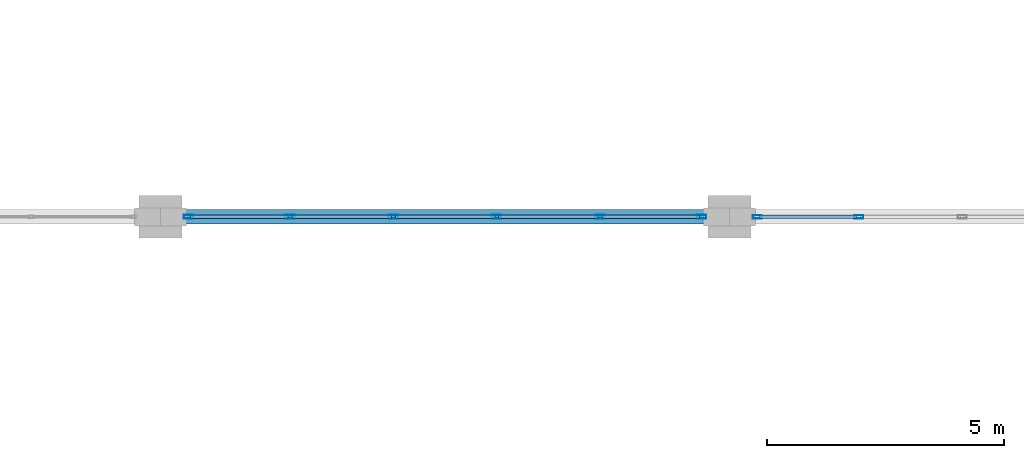
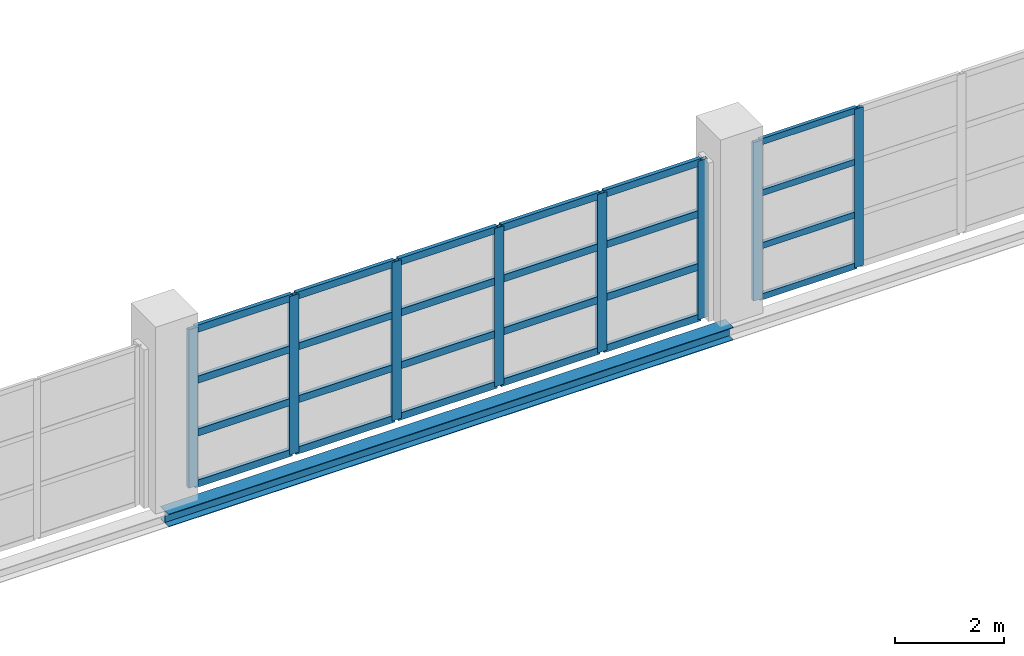
# One storey, part 74 of 158: 32 members, 1 beam, 2 elements without a shape of their own.
"""IFC4 building model written with IfcOpenShell, lengths in metres."""

import ifcopenshell
import ifcopenshell.guid

model = None  # the IFC model being written
_history = None  # IfcOwnerHistory: only IFC2X3 demands one
_inside = {}  # id of a spatial element -> (the spatial element, [elements in it])
_under = {}  # id of a project, library or spatial element -> (it, [spatial elements below it])
_declared = {}  # id of a project -> (the project, [libraries it declares])
_typed = {}  # id of a type object -> (the type object, [elements of that type])
_made_of = {}  # id of a material, layer set ... -> (it, [elements and type objects made of it])


def new_model(schema):
    """Start an empty IFC model of exactly this schema.

    Asked for "IFC4X3", IfcOpenShell would pick the latest addendum, in which some entities
    have other attributes; the version numbers below select the first issue.
    IFC2X3 requires an IfcOwnerHistory on every rooted entity: one is made here for all.
    """
    global model, _history
    if schema == "IFC4X3":
        model = ifcopenshell.file(schema_version=(4, 3, 0, 0))
    else:
        model = ifcopenshell.file(schema=schema)
    _inside.clear()
    _under.clear()
    _declared.clear()
    _typed.clear()
    _made_of.clear()
    _history = None
    if model.schema == "IFC2X3":
        org = make("IfcOrganization", Name="unknown")
        user = make(
            "IfcPersonAndOrganization",
            ThePerson=make("IfcPerson", FamilyName="unknown"),
            TheOrganization=org,
        )
        app = make(
            "IfcApplication",
            ApplicationDeveloper=org,
            Version="unknown",
            ApplicationFullName="unknown",
            ApplicationIdentifier="unknown",
        )
        _history = make(
            "IfcOwnerHistory",
            OwningUser=user,
            OwningApplication=app,
            ChangeAction="ADDED",
            CreationDate=0,
        )
    return model


def make(cls, **values):
    """One entity of the class cls with the attributes given. An attribute that is None is left unset."""
    return model.create_entity(
        cls, **{name: value for name, value in values.items() if value is not None}
    )


def rooted(cls, **values):
    """An entity with a GlobalId (a new one), such as an element, a storey or a relation."""
    return make(cls, GlobalId=ifcopenshell.guid.new(), OwnerHistory=_history, **values)


def si_unit(unit_type, name, prefix=None):
    """IfcSIUnit, for example si_unit("LENGTHUNIT", "METRE", prefix="MILLI")."""
    return make("IfcSIUnit", UnitType=unit_type, Prefix=prefix, Name=name)


def assignment(units):
    """IfcUnitAssignment: the units of a project."""
    return None if units is None else make("IfcUnitAssignment", Units=units)


def point(xyz):
    """IfcCartesianPoint."""
    return None if xyz is None else make("IfcCartesianPoint", Coordinates=xyz)


def direction(xyz):
    """IfcDirection."""
    return None if xyz is None else make("IfcDirection", DirectionRatios=xyz)


def frame(location, z_axis=None, x_axis=None):
    """IfcAxis2Placement3D, a coordinate frame: its origin and axes. An axis left out is left unset."""
    return make(
        "IfcAxis2Placement3D",
        Location=point(location),
        Axis=direction(z_axis),
        RefDirection=direction(x_axis),
    )


def frame_2d(location, x_axis=None):
    """IfcAxis2Placement2D, a coordinate frame in the plane: its origin and x axis."""
    return make(
        "IfcAxis2Placement2D", Location=point(location), RefDirection=direction(x_axis)
    )


def origin():
    """The frame at (0, 0, 0) with its axes left unset."""
    return frame((0.0, 0.0, 0.0))


def origin_2d():
    """The frame at (0, 0) in the plane with its x axis left unset."""
    return frame_2d((0.0, 0.0))


def place(relative_to, where):
    """IfcLocalPlacement: puts the frame where relative to a parent placement (None: the world)."""
    return make(
        "IfcLocalPlacement", PlacementRelTo=relative_to, RelativePlacement=where
    )


def context(
    kind, dimensions, precision=None, world=None, true_north=None, identifier=None
):
    """IfcGeometricRepresentationContext, for example the 3D "Model" context."""
    return make(
        "IfcGeometricRepresentationContext",
        ContextIdentifier=identifier,
        ContextType=kind,
        CoordinateSpaceDimension=dimensions,
        Precision=precision,
        WorldCoordinateSystem=world,
        TrueNorth=true_north,
    )


def subcontext(parent, identifier, kind, view, scale=None):
    """IfcGeometricRepresentationSubContext, for example "Body" below "Model"."""
    return make(
        "IfcGeometricRepresentationSubContext",
        ContextIdentifier=identifier,
        ContextType=kind,
        ParentContext=parent,
        TargetScale=scale,
        TargetView=view,
    )


def project(units=None, contexts=None):
    """IfcProject with its units and contexts."""
    return rooted(
        "IfcProject",
        Name="project",
        RepresentationContexts=contexts,
        UnitsInContext=assignment(units),
    )


def spatial(cls, under=None, at=None, **own):
    """A site, building, storey or space (cls), placed at a placement, below another one or the project."""
    s = rooted(cls, ObjectPlacement=at, **own)
    if under is not None:
        _under.setdefault(under.id(), (under, []))[1].append(s)
    return s


def profile(cls, at=None, kind="AREA", **sizes):
    """A parametric profile (cls). Its sizes go by their IFC names, for example OverallWidth=200.0."""
    return make(cls, ProfileType=kind, Position=at, **sizes)


def hollow_rectangle(**sizes):
    """IfcRectangleHollowProfileDef."""
    return profile("IfcRectangleHollowProfileDef", **sizes)


def i_section(**sizes):
    """IfcIShapeProfileDef."""
    return profile("IfcIShapeProfileDef", **sizes)


def extrude(swept, where, along, depth):
    """IfcExtrudedAreaSolid: the profile swept, set in the frame where, extruded along a direction by depth."""
    return make(
        "IfcExtrudedAreaSolid",
        SweptArea=swept,
        Position=where,
        ExtrudedDirection=direction(along),
        Depth=depth,
    )


def shape(context_of_items, identifier, shape_type, items):
    """IfcShapeRepresentation: the items that make up one representation, for example the "Body"."""
    return make(
        "IfcShapeRepresentation",
        ContextOfItems=context_of_items,
        RepresentationIdentifier=identifier,
        RepresentationType=shape_type,
        Items=items,
    )


def material(Name=None, Category=None):
    """IfcMaterial."""
    return make("IfcMaterial", Name=Name, Category=Category)


def layer(
    of_material, thickness, ventilated=None, Name=None, Category=None, Priority=None
):
    """IfcMaterialLayer: one layer of a wall or slab, of a material (None: an air gap)."""
    return make(
        "IfcMaterialLayer",
        Material=of_material,
        LayerThickness=thickness,
        IsVentilated=ventilated,
        Name=Name,
        Category=Category,
        Priority=Priority,
    )


def layer_set(layers, Name=None):
    """IfcMaterialLayerSet."""
    return make("IfcMaterialLayerSet", MaterialLayers=layers, LayerSetName=Name)


def material_profile(
    of_material, cross_section, Name=None, Category=None, Priority=None
):
    """IfcMaterialProfile: a cross section and its material."""
    return make(
        "IfcMaterialProfile",
        Name=Name,
        Material=of_material,
        Profile=cross_section,
        Priority=Priority,
        Category=Category,
    )


def profile_set(profiles, Name=None, composite=None):
    """IfcMaterialProfileSet."""
    return make(
        "IfcMaterialProfileSet",
        Name=Name,
        MaterialProfiles=profiles,
        CompositeProfile=composite,
    )


def made_of(thing, what):
    """Note that an element or type object is made of a material, layer set ...; save() writes the relation."""
    if what is not None:
        _made_of.setdefault(what.id(), (what, []))[1].append(thing)
    return thing


def type_object(cls, material=None, **own):
    """A type object (cls), such as IfcWallType, which elements share."""
    return made_of(rooted(cls, **own), material)


def element(
    cls,
    number,
    at=None,
    inside=None,
    cuts=None,
    type_object=None,
    material=None,
    context=None,
    identifier="Body",
    shape_type=None,
    held_by="IfcProductDefinitionShape",
    body=None,
    shapes=None,
    **own,
):
    """One element of the class cls, such as IfcWall. Its Tag is "e" and its number.

    at: its placement. inside: the storey or other place that contains it. cuts: it is an
    opening in that element (IfcRelVoidsElement). A single representation is given by context,
    identifier, shape_type and body (its items); several are given by shapes. held_by: the class
    of the entity that holds the representations. save() writes the other relations.
    """
    e = rooted(cls, Tag="e%d" % number, ObjectPlacement=at, **own)
    if body is not None:
        shapes = [shape(context, identifier, shape_type, body)]
    if shapes is not None:
        e.Representation = make(held_by, Representations=shapes)
    if inside is not None:
        _inside.setdefault(inside.id(), (inside, []))[1].append(e)
    if cuts is not None:
        rooted(
            "IfcRelVoidsElement", RelatingBuildingElement=cuts, RelatedOpeningElement=e
        )
    if type_object is not None:
        _typed.setdefault(type_object.id(), (type_object, []))[1].append(e)
    return made_of(e, material)


def aggregate(whole, parts):
    """IfcRelAggregates: a whole, such as a stair, and the parts it consists of."""
    return rooted("IfcRelAggregates", RelatingObject=whole, RelatedObjects=parts)


def save(model, path):
    """Write the relations noted so far, then the file.

    IfcRelAggregates (storeys below a building ...), IfcRelContainedInSpatialStructure (elements
    in a storey), IfcRelDefinesByType, IfcRelAssociatesMaterial and IfcRelDeclares: one each for
    every whole, place, type object, material and project.
    """
    for whole, parts in _under.values():
        aggregate(whole, parts)
    for where, things in _inside.values():
        rooted(
            "IfcRelContainedInSpatialStructure",
            RelatedElements=things,
            RelatingStructure=where,
        )
    for kind, things in _typed.values():
        rooted("IfcRelDefinesByType", RelatedObjects=things, RelatingType=kind)
    for what, things in _made_of.values():
        rooted("IfcRelAssociatesMaterial", RelatedObjects=things, RelatingMaterial=what)
    for by, libraries in _declared.values():
        rooted("IfcRelDeclares", RelatingContext=by, RelatedDefinitions=libraries)
    model.write(path)


model = new_model("IFC4")

# Units and contexts
model_context = context("Model", 3, precision=1e-05, world=origin(), true_north=direction((0.0, 1.0)))
body_context = subcontext(model_context, "Body", "Model", "MODEL_VIEW")
ifc_project = project(units=[si_unit("LENGTHUNIT", "METRE"), si_unit("AREAUNIT", "SQUARE_METRE"), si_unit("VOLUMEUNIT", "CUBIC_METRE"), si_unit("PLANEANGLEUNIT", "RADIAN"), si_unit("MASSUNIT", "GRAM", prefix="KILO")], contexts=[model_context])

# Site, building, storey
site_placement = place(None, origin())
site = spatial("IfcSite", under=ifc_project, at=site_placement, CompositionType="ELEMENT")
building_placement = place(site_placement, origin())
building = spatial("IfcBuilding", under=site, at=building_placement, Name="Zilviju Railside Exhibition Hall", CompositionType="ELEMENT")
storey_placement = place(building_placement, frame((0.0, 0.0, 4.199951171875)))
storey = spatial("IfcBuildingStorey", under=building, at=storey_placement, Name="L02", CompositionType="ELEMENT", Elevation=4.199951171875)

# Beam
ifc_material_1 = material(Name="Steel S355J2", Category="steel")
ifc_material_profile_1 = material_profile(ifc_material_1, i_section(OverallWidth=0.300048828125, OverallDepth=0.2900390625, WebThickness=0.008544921875, FlangeThickness=0.013916015625, at=origin_2d()), Name="HEA 300")
ifc_profile_set_1 = profile_set([ifc_material_profile_1], Name="Steel S355J2")
beam_type = type_object("IfcBeamType", Name="BM-HEA300", PredefinedType="SPANDREL", material=ifc_profile_set_1)
beam_placement = place(storey_placement, frame((144.0, 54.0, -0.48486328125), z_axis=(1.0, 0.0, 0.0), x_axis=(0.0, 1.0, 0.0)))
element("IfcBeam", 1, at=beam_placement, inside=storey, type_object=beam_type, Name="Primary Girder L02 Y=54.0 (144.0..156.0)", PredefinedType="SPANDREL", context=body_context, shape_type="SweptSolid", body=[
    extrude(i_section(OverallWidth=0.300048828125, OverallDepth=0.2900390625, WebThickness=0.008544921875, FlangeThickness=0.013916015625, at=origin_2d()), origin(), (0.0, 0.0, 1.0), 12.0),
])

# Curtain wall, members
ifc_material_2 = material(Name="Thermally broken aluminium-steel triple-glazed curtain wall", Category="steel")
ifc_layer_1 = layer(ifc_material_2, 0.179931640625)
ifc_layer_set_1 = layer_set([ifc_layer_1], Name="Thermally broken aluminium-steel triple-glazed curtain wall")
curtain_wall_type_1 = type_object("IfcCurtainWallType", Name="CW-BAY-03", PredefinedType="USERDEFINED", material=ifc_layer_set_1)
curtain_wall_1_placement = place(storey_placement, origin())
curtain_wall_1 = element("IfcCurtainWall", 2, at=curtain_wall_1_placement, inside=storey, type_object=curtain_wall_type_1, Name="South Hall Garden Court Curtain Wall L02 (156..168)", ObjectType="GLAZED CURTAIN WALL", PredefinedType="USERDEFINED")
ifc_material_3 = material(Name="Thermally broken anodized aluminium mullion", Category="aluminium")
ifc_material_profile_2 = material_profile(ifc_material_3, hollow_rectangle(XDim=0.074951171875, YDim=0.18994140625, WallThickness=0.0048828125, at=origin_2d()), Name="MULLION 190x75x5")
ifc_profile_set_2 = profile_set([ifc_material_profile_2], Name="Thermally broken anodized aluminium mullion")
member_type_1 = type_object("IfcMemberType", Name="CWM-75x190", PredefinedType="MULLION", material=ifc_profile_set_2)
member_1_placement = place(storey_placement, frame((156.58740234375, 54.0, 0.0), z_axis=(0.0, 0.0, 1.0), x_axis=(0.0, 1.0, 0.0)))
member_1 = element("IfcMember", 3, at=member_1_placement, type_object=member_type_1, Name="CW-03 mullion 1", PredefinedType="MULLION", context=body_context, shape_type="SweptSolid", body=[
    extrude(hollow_rectangle(XDim=0.074951171875, YDim=0.18994140625, WallThickness=0.0048828125, at=origin_2d()), origin(), (0.0, 0.0, 1.0), 3.56005859375),
])
member_2_placement = place(storey_placement, frame((158.72998046875, 54.0, 0.0), z_axis=(0.0, 0.0, 1.0), x_axis=(0.0, 1.0, 0.0)))
member_2 = element("IfcMember", 4, at=member_2_placement, type_object=member_type_1, Name="CW-03 mullion 2", PredefinedType="MULLION", context=body_context, shape_type="SweptSolid", body=[
    extrude(hollow_rectangle(XDim=0.074951171875, YDim=0.18994140625, WallThickness=0.0048828125, at=origin_2d()), origin(), (0.0, 0.0, 1.0), 3.56005859375),
])

ifc_layer_2 = layer(ifc_material_2, 0.179931640625)
ifc_layer_set_2 = layer_set([ifc_layer_2], Name="Thermally broken aluminium-steel triple-glazed curtain wall")
curtain_wall_type_2 = type_object("IfcCurtainWallType", Name="CW-BAY-02", PredefinedType="USERDEFINED", material=ifc_layer_set_2)
curtain_wall_2_placement = place(storey_placement, origin())
curtain_wall_2 = element("IfcCurtainWall", 5, at=curtain_wall_2_placement, inside=storey, type_object=curtain_wall_type_2, Name="South Hall Garden Court Curtain Wall L02 (144..156)", ObjectType="GLAZED CURTAIN WALL", PredefinedType="USERDEFINED")
ifc_material_profile_3 = material_profile(ifc_material_3, hollow_rectangle(XDim=0.080078125, YDim=0.199951171875, WallThickness=0.0048828125, at=origin_2d()), Name="MULLION 200x80x5")
ifc_profile_set_3 = profile_set([ifc_material_profile_3], Name="Thermally broken anodized aluminium mullion")
member_type_2 = type_object("IfcMemberType", Name="CWM-80x200", PredefinedType="MULLION", material=ifc_profile_set_3)
member_3_placement = place(storey_placement, frame((144.590087890625, 54.0, 0.0), z_axis=(0.0, 0.0, 1.0), x_axis=(0.0, 1.0, 0.0)))
member_3 = element("IfcMember", 6, at=member_3_placement, type_object=member_type_2, Name="CW-02 mullion 1", PredefinedType="MULLION", context=body_context, shape_type="SweptSolid", body=[
    extrude(hollow_rectangle(XDim=0.080078125, YDim=0.199951171875, WallThickness=0.0048828125, at=origin_2d()), origin(), (0.0, 0.0, 1.0), 3.56005859375),
])
member_4_placement = place(storey_placement, frame((146.72998046875, 54.0, 0.0), z_axis=(0.0, 0.0, 1.0), x_axis=(0.0, 1.0, 0.0)))
member_4 = element("IfcMember", 7, at=member_4_placement, type_object=member_type_2, Name="CW-02 mullion 2", PredefinedType="MULLION", context=body_context, shape_type="SweptSolid", body=[
    extrude(hollow_rectangle(XDim=0.080078125, YDim=0.199951171875, WallThickness=0.0048828125, at=origin_2d()), origin(), (0.0, 0.0, 1.0), 3.56005859375),
])
member_5_placement = place(storey_placement, frame((148.909912109375, 54.0, 0.0), z_axis=(0.0, 0.0, 1.0), x_axis=(0.0, 1.0, 0.0)))
member_5 = element("IfcMember", 8, at=member_5_placement, type_object=member_type_2, Name="CW-02 mullion 3", PredefinedType="MULLION", context=body_context, shape_type="SweptSolid", body=[
    extrude(hollow_rectangle(XDim=0.080078125, YDim=0.199951171875, WallThickness=0.0048828125, at=origin_2d()), origin(), (0.0, 0.0, 1.0), 3.56005859375),
])
member_6_placement = place(storey_placement, frame((151.090087890625, 54.0, 0.0), z_axis=(0.0, 0.0, 1.0), x_axis=(0.0, 1.0, 0.0)))
member_6 = element("IfcMember", 9, at=member_6_placement, type_object=member_type_2, Name="CW-02 mullion 4", PredefinedType="MULLION", context=body_context, shape_type="SweptSolid", body=[
    extrude(hollow_rectangle(XDim=0.080078125, YDim=0.199951171875, WallThickness=0.0048828125, at=origin_2d()), origin(), (0.0, 0.0, 1.0), 3.56005859375),
])
member_7_placement = place(storey_placement, frame((153.27001953125, 54.0, 0.0), z_axis=(0.0, 0.0, 1.0), x_axis=(0.0, 1.0, 0.0)))
member_7 = element("IfcMember", 10, at=member_7_placement, type_object=member_type_2, Name="CW-02 mullion 5", PredefinedType="MULLION", context=body_context, shape_type="SweptSolid", body=[
    extrude(hollow_rectangle(XDim=0.080078125, YDim=0.199951171875, WallThickness=0.0048828125, at=origin_2d()), origin(), (0.0, 0.0, 1.0), 3.56005859375),
])
member_8_placement = place(storey_placement, frame((155.409912109375, 54.0, 0.0), z_axis=(0.0, 0.0, 1.0), x_axis=(0.0, 1.0, 0.0)))
member_8 = element("IfcMember", 11, at=member_8_placement, type_object=member_type_2, Name="CW-02 mullion 6", PredefinedType="MULLION", context=body_context, shape_type="SweptSolid", body=[
    extrude(hollow_rectangle(XDim=0.080078125, YDim=0.199951171875, WallThickness=0.0048828125, at=origin_2d()), origin(), (0.0, 0.0, 1.0), 3.56005859375),
])

# Member
ifc_material_4 = material(Name="Thermally broken anodized aluminium transom", Category="aluminium")
ifc_material_profile_4 = material_profile(ifc_material_4, hollow_rectangle(XDim=0.074951171875, YDim=0.139892578125, WallThickness=0.0048828125, at=origin_2d()), Name="TRANSOM 140x75x5")
ifc_profile_set_4 = profile_set([ifc_material_profile_4], Name="Thermally broken anodized aluminium transom")
member_type_3 = type_object("IfcMemberType", Name="CWT-75x140", PredefinedType="USERDEFINED", material=ifc_profile_set_4)
member_9_placement = place(storey_placement, frame((156.625, 54.0, 0.03759765625), z_axis=(1.0, 0.0, 0.0), x_axis=(0.0, 1.0, 0.0)))
member_9 = element("IfcMember", 12, at=member_9_placement, type_object=member_type_3, Name="CW-03 transom 1.1", ObjectType="TRANSOM", PredefinedType="USERDEFINED", context=body_context, shape_type="SweptSolid", body=[
    extrude(hollow_rectangle(XDim=0.074951171875, YDim=0.139892578125, WallThickness=0.0048828125, at=origin_2d()), origin(), (0.0, 0.0, 1.0), 2.0673828125),
])

member_10_placement = place(storey_placement, frame((156.625, 54.0, 1.18701171875), z_axis=(1.0, 0.0, 0.0), x_axis=(0.0, 1.0, 0.0)))
member_10 = element("IfcMember", 13, at=member_10_placement, type_object=member_type_3, Name="CW-03 transom 1.2", ObjectType="TRANSOM", PredefinedType="USERDEFINED", context=body_context, shape_type="SweptSolid", body=[
    extrude(hollow_rectangle(XDim=0.074951171875, YDim=0.139892578125, WallThickness=0.0048828125, at=origin_2d()), origin(), (0.0, 0.0, 1.0), 2.0673828125),
])

member_11_placement = place(storey_placement, frame((156.625, 54.0, 2.373046875), z_axis=(1.0, 0.0, 0.0), x_axis=(0.0, 1.0, 0.0)))
member_11 = element("IfcMember", 14, at=member_11_placement, type_object=member_type_3, Name="CW-03 transom 1.3", ObjectType="TRANSOM", PredefinedType="USERDEFINED", context=body_context, shape_type="SweptSolid", body=[
    extrude(hollow_rectangle(XDim=0.074951171875, YDim=0.139892578125, WallThickness=0.0048828125, at=origin_2d()), origin(), (0.0, 0.0, 1.0), 2.0673828125),
])

member_12_placement = place(storey_placement, frame((156.625, 54.0, 3.5224609375), z_axis=(1.0, 0.0, 0.0), x_axis=(0.0, 1.0, 0.0)))
member_12 = element("IfcMember", 15, at=member_12_placement, type_object=member_type_3, Name="CW-03 transom 1.4", ObjectType="TRANSOM", PredefinedType="USERDEFINED", context=body_context, shape_type="SweptSolid", body=[
    extrude(hollow_rectangle(XDim=0.074951171875, YDim=0.139892578125, WallThickness=0.0048828125, at=origin_2d()), origin(), (0.0, 0.0, 1.0), 2.0673828125),
])

aggregate(curtain_wall_1, [member_1, member_2, member_9, member_10, member_11, member_12])

ifc_material_profile_5 = material_profile(ifc_material_4, hollow_rectangle(XDim=0.080078125, YDim=0.159912109375, WallThickness=0.0048828125, at=origin_2d()), Name="TRANSOM 160x80x5")
ifc_profile_set_5 = profile_set([ifc_material_profile_5], Name="Thermally broken anodized aluminium transom")
member_type_4 = type_object("IfcMemberType", Name="CWT-80x160", PredefinedType="USERDEFINED", material=ifc_profile_set_5)
member_13_placement = place(storey_placement, frame((144.6298828125, 54.0, 0.0400390625), z_axis=(1.0, 0.0, 0.0), x_axis=(0.0, 1.0, 0.0)))
member_13 = element("IfcMember", 16, at=member_13_placement, type_object=member_type_4, Name="CW-02 transom 1.1", ObjectType="TRANSOM", PredefinedType="USERDEFINED", context=body_context, shape_type="SweptSolid", body=[
    extrude(hollow_rectangle(XDim=0.080078125, YDim=0.159912109375, WallThickness=0.0048828125, at=origin_2d()), origin(), (0.0, 0.0, 1.0), 2.06005859375),
])

member_14_placement = place(storey_placement, frame((144.6298828125, 54.0, 1.18701171875), z_axis=(1.0, 0.0, 0.0), x_axis=(0.0, 1.0, 0.0)))
member_14 = element("IfcMember", 17, at=member_14_placement, type_object=member_type_4, Name="CW-02 transom 1.2", ObjectType="TRANSOM", PredefinedType="USERDEFINED", context=body_context, shape_type="SweptSolid", body=[
    extrude(hollow_rectangle(XDim=0.080078125, YDim=0.159912109375, WallThickness=0.0048828125, at=origin_2d()), origin(), (0.0, 0.0, 1.0), 2.06005859375),
])

member_15_placement = place(storey_placement, frame((144.6298828125, 54.0, 2.373046875), z_axis=(1.0, 0.0, 0.0), x_axis=(0.0, 1.0, 0.0)))
member_15 = element("IfcMember", 18, at=member_15_placement, type_object=member_type_4, Name="CW-02 transom 1.3", ObjectType="TRANSOM", PredefinedType="USERDEFINED", context=body_context, shape_type="SweptSolid", body=[
    extrude(hollow_rectangle(XDim=0.080078125, YDim=0.159912109375, WallThickness=0.0048828125, at=origin_2d()), origin(), (0.0, 0.0, 1.0), 2.06005859375),
])

member_16_placement = place(storey_placement, frame((144.6298828125, 54.0, 3.52001953125), z_axis=(1.0, 0.0, 0.0), x_axis=(0.0, 1.0, 0.0)))
member_16 = element("IfcMember", 19, at=member_16_placement, type_object=member_type_4, Name="CW-02 transom 1.4", ObjectType="TRANSOM", PredefinedType="USERDEFINED", context=body_context, shape_type="SweptSolid", body=[
    extrude(hollow_rectangle(XDim=0.080078125, YDim=0.159912109375, WallThickness=0.0048828125, at=origin_2d()), origin(), (0.0, 0.0, 1.0), 2.06005859375),
])

member_17_placement = place(storey_placement, frame((146.77001953125, 54.0, 0.0400390625), z_axis=(1.0, 0.0, 0.0), x_axis=(0.0, 1.0, 0.0)))
member_17 = element("IfcMember", 20, at=member_17_placement, type_object=member_type_4, Name="CW-02 transom 2.1", ObjectType="TRANSOM", PredefinedType="USERDEFINED", context=body_context, shape_type="SweptSolid", body=[
    extrude(hollow_rectangle(XDim=0.080078125, YDim=0.159912109375, WallThickness=0.0048828125, at=origin_2d()), origin(), (0.0, 0.0, 1.0), 2.10009765625),
])

member_18_placement = place(storey_placement, frame((146.77001953125, 54.0, 1.18701171875), z_axis=(1.0, 0.0, 0.0), x_axis=(0.0, 1.0, 0.0)))
member_18 = element("IfcMember", 21, at=member_18_placement, type_object=member_type_4, Name="CW-02 transom 2.2", ObjectType="TRANSOM", PredefinedType="USERDEFINED", context=body_context, shape_type="SweptSolid", body=[
    extrude(hollow_rectangle(XDim=0.080078125, YDim=0.159912109375, WallThickness=0.0048828125, at=origin_2d()), origin(), (0.0, 0.0, 1.0), 2.10009765625),
])

member_19_placement = place(storey_placement, frame((146.77001953125, 54.0, 2.373046875), z_axis=(1.0, 0.0, 0.0), x_axis=(0.0, 1.0, 0.0)))
member_19 = element("IfcMember", 22, at=member_19_placement, type_object=member_type_4, Name="CW-02 transom 2.3", ObjectType="TRANSOM", PredefinedType="USERDEFINED", context=body_context, shape_type="SweptSolid", body=[
    extrude(hollow_rectangle(XDim=0.080078125, YDim=0.159912109375, WallThickness=0.0048828125, at=origin_2d()), origin(), (0.0, 0.0, 1.0), 2.10009765625),
])

member_20_placement = place(storey_placement, frame((146.77001953125, 54.0, 3.52001953125), z_axis=(1.0, 0.0, 0.0), x_axis=(0.0, 1.0, 0.0)))
member_20 = element("IfcMember", 23, at=member_20_placement, type_object=member_type_4, Name="CW-02 transom 2.4", ObjectType="TRANSOM", PredefinedType="USERDEFINED", context=body_context, shape_type="SweptSolid", body=[
    extrude(hollow_rectangle(XDim=0.080078125, YDim=0.159912109375, WallThickness=0.0048828125, at=origin_2d()), origin(), (0.0, 0.0, 1.0), 2.10009765625),
])

member_21_placement = place(storey_placement, frame((148.949951171875, 54.0, 0.0400390625), z_axis=(1.0, 0.0, 0.0), x_axis=(0.0, 1.0, 0.0)))
member_21 = element("IfcMember", 24, at=member_21_placement, type_object=member_type_4, Name="CW-02 transom 3.1", ObjectType="TRANSOM", PredefinedType="USERDEFINED", context=body_context, shape_type="SweptSolid", body=[
    extrude(hollow_rectangle(XDim=0.080078125, YDim=0.159912109375, WallThickness=0.0048828125, at=origin_2d()), origin(), (0.0, 0.0, 1.0), 2.10009765625),
])

member_22_placement = place(storey_placement, frame((148.949951171875, 54.0, 1.18701171875), z_axis=(1.0, 0.0, 0.0), x_axis=(0.0, 1.0, 0.0)))
member_22 = element("IfcMember", 25, at=member_22_placement, type_object=member_type_4, Name="CW-02 transom 3.2", ObjectType="TRANSOM", PredefinedType="USERDEFINED", context=body_context, shape_type="SweptSolid", body=[
    extrude(hollow_rectangle(XDim=0.080078125, YDim=0.159912109375, WallThickness=0.0048828125, at=origin_2d()), origin(), (0.0, 0.0, 1.0), 2.10009765625),
])

member_23_placement = place(storey_placement, frame((148.949951171875, 54.0, 2.373046875), z_axis=(1.0, 0.0, 0.0), x_axis=(0.0, 1.0, 0.0)))
member_23 = element("IfcMember", 26, at=member_23_placement, type_object=member_type_4, Name="CW-02 transom 3.3", ObjectType="TRANSOM", PredefinedType="USERDEFINED", context=body_context, shape_type="SweptSolid", body=[
    extrude(hollow_rectangle(XDim=0.080078125, YDim=0.159912109375, WallThickness=0.0048828125, at=origin_2d()), origin(), (0.0, 0.0, 1.0), 2.10009765625),
])

member_24_placement = place(storey_placement, frame((148.949951171875, 54.0, 3.52001953125), z_axis=(1.0, 0.0, 0.0), x_axis=(0.0, 1.0, 0.0)))
member_24 = element("IfcMember", 27, at=member_24_placement, type_object=member_type_4, Name="CW-02 transom 3.4", ObjectType="TRANSOM", PredefinedType="USERDEFINED", context=body_context, shape_type="SweptSolid", body=[
    extrude(hollow_rectangle(XDim=0.080078125, YDim=0.159912109375, WallThickness=0.0048828125, at=origin_2d()), origin(), (0.0, 0.0, 1.0), 2.10009765625),
])

member_25_placement = place(storey_placement, frame((151.1298828125, 54.0, 0.0400390625), z_axis=(1.0, 0.0, 0.0), x_axis=(0.0, 1.0, 0.0)))
member_25 = element("IfcMember", 28, at=member_25_placement, type_object=member_type_4, Name="CW-02 transom 4.1", ObjectType="TRANSOM", PredefinedType="USERDEFINED", context=body_context, shape_type="SweptSolid", body=[
    extrude(hollow_rectangle(XDim=0.080078125, YDim=0.159912109375, WallThickness=0.0048828125, at=origin_2d()), origin(), (0.0, 0.0, 1.0), 2.10009765625),
])

member_26_placement = place(storey_placement, frame((151.1298828125, 54.0, 1.18701171875), z_axis=(1.0, 0.0, 0.0), x_axis=(0.0, 1.0, 0.0)))
member_26 = element("IfcMember", 29, at=member_26_placement, type_object=member_type_4, Name="CW-02 transom 4.2", ObjectType="TRANSOM", PredefinedType="USERDEFINED", context=body_context, shape_type="SweptSolid", body=[
    extrude(hollow_rectangle(XDim=0.080078125, YDim=0.159912109375, WallThickness=0.0048828125, at=origin_2d()), origin(), (0.0, 0.0, 1.0), 2.10009765625),
])

member_27_placement = place(storey_placement, frame((151.1298828125, 54.0, 2.373046875), z_axis=(1.0, 0.0, 0.0), x_axis=(0.0, 1.0, 0.0)))
member_27 = element("IfcMember", 30, at=member_27_placement, type_object=member_type_4, Name="CW-02 transom 4.3", ObjectType="TRANSOM", PredefinedType="USERDEFINED", context=body_context, shape_type="SweptSolid", body=[
    extrude(hollow_rectangle(XDim=0.080078125, YDim=0.159912109375, WallThickness=0.0048828125, at=origin_2d()), origin(), (0.0, 0.0, 1.0), 2.10009765625),
])

member_28_placement = place(storey_placement, frame((151.1298828125, 54.0, 3.52001953125), z_axis=(1.0, 0.0, 0.0), x_axis=(0.0, 1.0, 0.0)))
member_28 = element("IfcMember", 31, at=member_28_placement, type_object=member_type_4, Name="CW-02 transom 4.4", ObjectType="TRANSOM", PredefinedType="USERDEFINED", context=body_context, shape_type="SweptSolid", body=[
    extrude(hollow_rectangle(XDim=0.080078125, YDim=0.159912109375, WallThickness=0.0048828125, at=origin_2d()), origin(), (0.0, 0.0, 1.0), 2.10009765625),
])

member_29_placement = place(storey_placement, frame((153.31005859375, 54.0, 0.0400390625), z_axis=(1.0, 0.0, 0.0), x_axis=(0.0, 1.0, 0.0)))
member_29 = element("IfcMember", 32, at=member_29_placement, type_object=member_type_4, Name="CW-02 transom 5.1", ObjectType="TRANSOM", PredefinedType="USERDEFINED", context=body_context, shape_type="SweptSolid", body=[
    extrude(hollow_rectangle(XDim=0.080078125, YDim=0.159912109375, WallThickness=0.0048828125, at=origin_2d()), origin(), (0.0, 0.0, 1.0), 2.06005859375),
])

member_30_placement = place(storey_placement, frame((153.31005859375, 54.0, 1.18701171875), z_axis=(1.0, 0.0, 0.0), x_axis=(0.0, 1.0, 0.0)))
member_30 = element("IfcMember", 33, at=member_30_placement, type_object=member_type_4, Name="CW-02 transom 5.2", ObjectType="TRANSOM", PredefinedType="USERDEFINED", context=body_context, shape_type="SweptSolid", body=[
    extrude(hollow_rectangle(XDim=0.080078125, YDim=0.159912109375, WallThickness=0.0048828125, at=origin_2d()), origin(), (0.0, 0.0, 1.0), 2.06005859375),
])

member_31_placement = place(storey_placement, frame((153.31005859375, 54.0, 2.373046875), z_axis=(1.0, 0.0, 0.0), x_axis=(0.0, 1.0, 0.0)))
member_31 = element("IfcMember", 34, at=member_31_placement, type_object=member_type_4, Name="CW-02 transom 5.3", ObjectType="TRANSOM", PredefinedType="USERDEFINED", context=body_context, shape_type="SweptSolid", body=[
    extrude(hollow_rectangle(XDim=0.080078125, YDim=0.159912109375, WallThickness=0.0048828125, at=origin_2d()), origin(), (0.0, 0.0, 1.0), 2.06005859375),
])

member_32_placement = place(storey_placement, frame((153.31005859375, 54.0, 3.52001953125), z_axis=(1.0, 0.0, 0.0), x_axis=(0.0, 1.0, 0.0)))
member_32 = element("IfcMember", 35, at=member_32_placement, type_object=member_type_4, Name="CW-02 transom 5.4", ObjectType="TRANSOM", PredefinedType="USERDEFINED", context=body_context, shape_type="SweptSolid", body=[
    extrude(hollow_rectangle(XDim=0.080078125, YDim=0.159912109375, WallThickness=0.0048828125, at=origin_2d()), origin(), (0.0, 0.0, 1.0), 2.06005859375),
])

aggregate(curtain_wall_2, [member_3, member_4, member_5, member_6, member_7, member_8, member_13, member_14, member_15, member_16, member_17, member_18, member_19, member_20, member_21, member_22, member_23, member_24, member_25, member_26, member_27, member_28, member_29, member_30, member_31, member_32])

save(model, "model.ifc")
